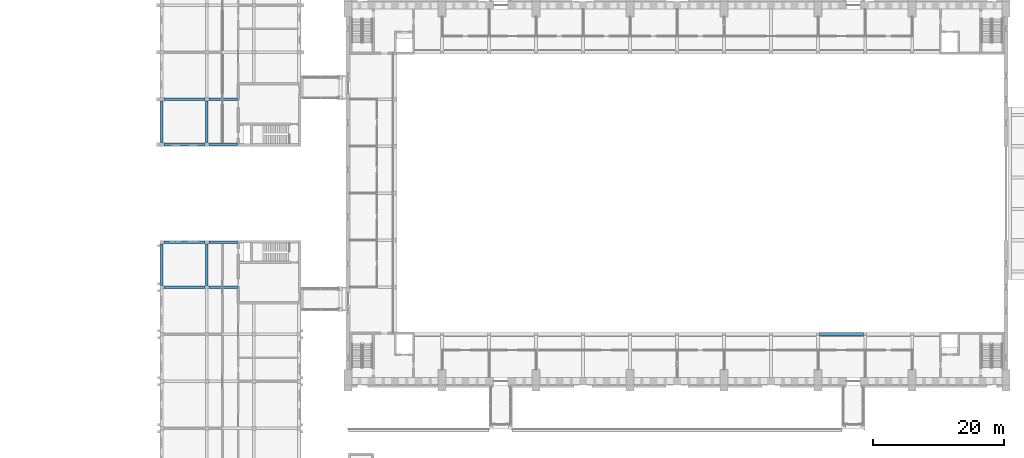
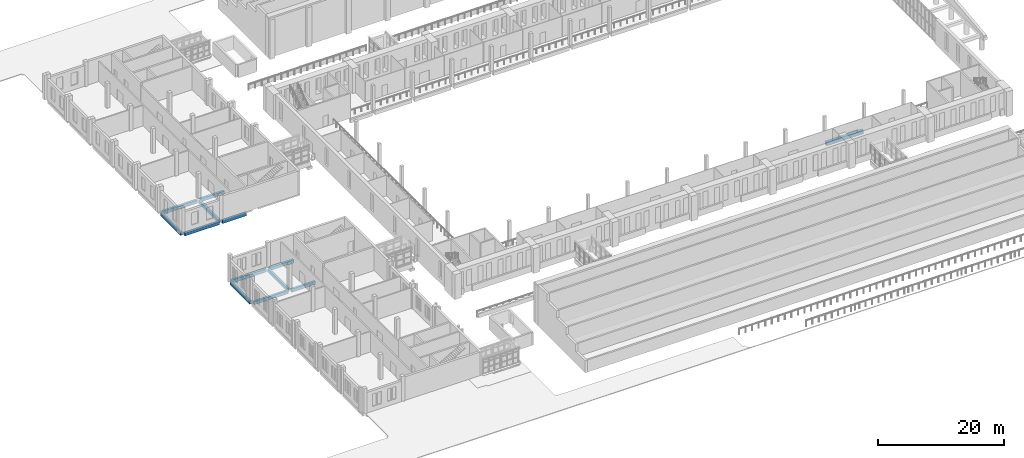
# One storey, part 38 of 131: 13 beams.
"""IFC4 building model written with IfcOpenShell, lengths in metres."""

from ifc_helpers import new_model, si_unit, direction, frame, origin, origin_2d, place, context, subcontext, project, spatial, rectangle, extrude, material, material_profile, profile_set, type_object, element, save


model = new_model("IFC4")

# Units and contexts
model_context = context("Model", 3, precision=1e-05, world=origin(), true_north=direction((0.0, 1.0)))
body_context = subcontext(model_context, "Body", "Model", "MODEL_VIEW")
ifc_project = project(units=[si_unit("LENGTHUNIT", "METRE"), si_unit("AREAUNIT", "SQUARE_METRE"), si_unit("VOLUMEUNIT", "CUBIC_METRE"), si_unit("PLANEANGLEUNIT", "RADIAN"), si_unit("MASSUNIT", "GRAM", prefix="KILO")], contexts=[model_context])

# Site, building, storey
site_placement = place(None, origin())
site = spatial("IfcSite", under=ifc_project, at=site_placement, CompositionType="ELEMENT")
building_placement = place(site_placement, origin())
building = spatial("IfcBuilding", under=site, at=building_placement, Name="Alderwick Market Hall", CompositionType="ELEMENT")
storey_placement = place(building_placement, frame((0.0, 0.0, 4.800048828125)))
storey = spatial("IfcBuildingStorey", under=building, at=storey_placement, Name="L00", CompositionType="ELEMENT", Elevation=4.800048828125)

# Beams
ifc_material = material(Name="Concrete 5000 psi (f'c 35 MPa)", Category="concrete")
ifc_material_profile_1 = material_profile(ifc_material, rectangle(XDim=0.39990234375, YDim=0.60009765625, at=origin_2d()), Name="B RC Beam 400x600")
ifc_profile_set_1 = profile_set([ifc_material_profile_1], Name="Concrete 5000 psi (f'c 35 MPa)")
beam_type_1 = type_object("IfcBeamType", Name="B RC Beam 400x600", PredefinedType="BEAM", material=ifc_profile_set_1)
beam_1_placement = place(storey_placement, frame((22.199951171875, 93.60009765625, -0.550048828125), z_axis=(1.0, 0.0, 0.0), x_axis=(0.0, 1.0, 0.0)))
element("IfcBeam", 1, at=beam_1_placement, inside=storey, type_object=beam_type_1, Name="B.N.beam.L00.u360-0006", PredefinedType="BEAM", context=body_context, shape_type="SweptSolid", body=[
    extrude(rectangle(XDim=0.39990234375, YDim=0.60009765625, at=origin_2d()), origin(), (0.0, 0.0, 1.0), 6.300048828125),
])
beam_2_placement = place(storey_placement, frame((29.10009765625, 93.60009765625, -0.550048828125), z_axis=(1.0, 0.0, 0.0), x_axis=(0.0, 1.0, 0.0)))
element("IfcBeam", 2, at=beam_2_placement, inside=storey, type_object=beam_type_1, Name="B.N.beam.L00.u360-0075", PredefinedType="BEAM", context=body_context, shape_type="SweptSolid", body=[
    extrude(rectangle(XDim=0.39990234375, YDim=0.60009765625, at=origin_2d()), origin(), (0.0, 0.0, 1.0), 4.349853515625),
])
beam_3_placement = place(storey_placement, frame((22.199951171875, 86.699951171875, -0.550048828125), z_axis=(1.0, 0.0, 0.0), x_axis=(0.0, 1.0, 0.0)))
element("IfcBeam", 3, at=beam_3_placement, inside=storey, type_object=beam_type_1, Name="B.N.beam.L00.u429-0006", PredefinedType="BEAM", context=body_context, shape_type="SweptSolid", body=[
    extrude(rectangle(XDim=0.39990234375, YDim=0.60009765625, at=origin_2d()), origin(), (0.0, 0.0, 1.0), 6.300048828125),
])
beam_4_placement = place(storey_placement, frame((29.10009765625, 86.699951171875, -0.550048828125), z_axis=(1.0, 0.0, 0.0), x_axis=(0.0, 1.0, 0.0)))
element("IfcBeam", 4, at=beam_4_placement, inside=storey, type_object=beam_type_1, Name="B.N.beam.L00.u429-0075", PredefinedType="BEAM", context=body_context, shape_type="SweptSolid", body=[
    extrude(rectangle(XDim=0.39990234375, YDim=0.60009765625, at=origin_2d()), origin(), (0.0, 0.0, 1.0), 4.349853515625),
])
for number, where, z_axis, x_axis, name in (
    (5, (21.89990234375, 93.300048828125, -0.550048828125), (0.0, -1.0, 0.0), (1.0, 0.0, 0.0), "B.N.beam.L00.w003-0363"),
    (6, (28.800048828125, 93.300048828125, -0.550048828125), (0.0, -1.0, 0.0), (1.0, 0.0, 0.0), "B.N.beam.L00.w072-0363"),
    (7, (22.199951171875, 64.800048828125, -0.550048828125), (1.0, 0.0, 0.0), (0.0, 1.0, 0.0), "B.S.beam.L00.u360-0006"),
):
    element("IfcBeam", number, at=place(storey_placement, frame(where, z_axis=z_axis, x_axis=x_axis)), inside=storey, type_object=beam_type_1, Name=name, PredefinedType="BEAM", context=body_context, shape_type="SweptSolid", body=[
        extrude(rectangle(XDim=0.39990234375, YDim=0.60009765625, at=origin_2d()), origin(), (0.0, 0.0, 1.0), 6.300048828125),
    ])
beam_5_placement = place(storey_placement, frame((29.10009765625, 64.800048828125, -0.550048828125), z_axis=(1.0, 0.0, 0.0), x_axis=(0.0, 1.0, 0.0)))
element("IfcBeam", 8, at=beam_5_placement, inside=storey, type_object=beam_type_1, Name="B.S.beam.L00.u360-0075", PredefinedType="BEAM", context=body_context, shape_type="SweptSolid", body=[
    extrude(rectangle(XDim=0.39990234375, YDim=0.60009765625, at=origin_2d()), origin(), (0.0, 0.0, 1.0), 4.349853515625),
])
beam_6_placement = place(storey_placement, frame((22.199951171875, 71.699951171875, -0.550048828125), z_axis=(1.0, 0.0, 0.0), x_axis=(0.0, 1.0, 0.0)))
element("IfcBeam", 9, at=beam_6_placement, inside=storey, type_object=beam_type_1, Name="B.S.beam.L00.u429-0006", PredefinedType="BEAM", context=body_context, shape_type="SweptSolid", body=[
    extrude(rectangle(XDim=0.39990234375, YDim=0.60009765625, at=origin_2d()), origin(), (0.0, 0.0, 1.0), 6.300048828125),
])
beam_7_placement = place(storey_placement, frame((29.10009765625, 71.699951171875, -0.550048828125), z_axis=(1.0, 0.0, 0.0), x_axis=(0.0, 1.0, 0.0)))
element("IfcBeam", 10, at=beam_7_placement, inside=storey, type_object=beam_type_1, Name="B.S.beam.L00.u429-0075", PredefinedType="BEAM", context=body_context, shape_type="SweptSolid", body=[
    extrude(rectangle(XDim=0.39990234375, YDim=0.60009765625, at=origin_2d()), origin(), (0.0, 0.0, 1.0), 4.349853515625),
])
for number, where, z_axis, x_axis, name in (
    (11, (21.89990234375, 65.10009765625, -0.550048828125), (0.0, 1.0, 0.0), (-1.0, 0.0, 0.0), "B.S.beam.L00.w003-0363"),
    (12, (28.800048828125, 65.10009765625, -0.550048828125), (0.0, 1.0, 0.0), (-1.0, 0.0, 0.0), "B.S.beam.L00.w072-0363"),
):
    element("IfcBeam", number, at=place(storey_placement, frame(where, z_axis=z_axis, x_axis=x_axis)), inside=storey, type_object=beam_type_1, Name=name, PredefinedType="BEAM", context=body_context, shape_type="SweptSolid", body=[
        extrude(rectangle(XDim=0.39990234375, YDim=0.60009765625, at=origin_2d()), origin(), (0.0, 0.0, 1.0), 6.2998046875),
    ])
ifc_material_profile_2 = material_profile(ifc_material, rectangle(XDim=0.5, YDim=0.699951171875, at=origin_2d()), Name="RC 500x700")
ifc_profile_set_2 = profile_set([ifc_material_profile_2], Name="Concrete 5000 psi (f'c 35 MPa)")
beam_type_2 = type_object("IfcBeamType", Name="H Edge beam 500x700", PredefinedType="BEAM", material=ifc_profile_set_2)
beam_8_placement = place(storey_placement, frame((122.64990234375, 57.639892578125, -0.60009765625), z_axis=(1.0, 0.0, 0.0), x_axis=(0.0, 1.0, 0.0)))
element("IfcBeam", 13, at=beam_8_placement, inside=storey, type_object=beam_type_2, Name="Gallery edge beam S", PredefinedType="BEAM", context=body_context, shape_type="SweptSolid", body=[
    extrude(rectangle(XDim=0.5, YDim=0.699951171875, at=origin_2d()), origin(), (0.0, 0.0, 1.0), 6.7001953125),
])

save(model, "model.ifc")
